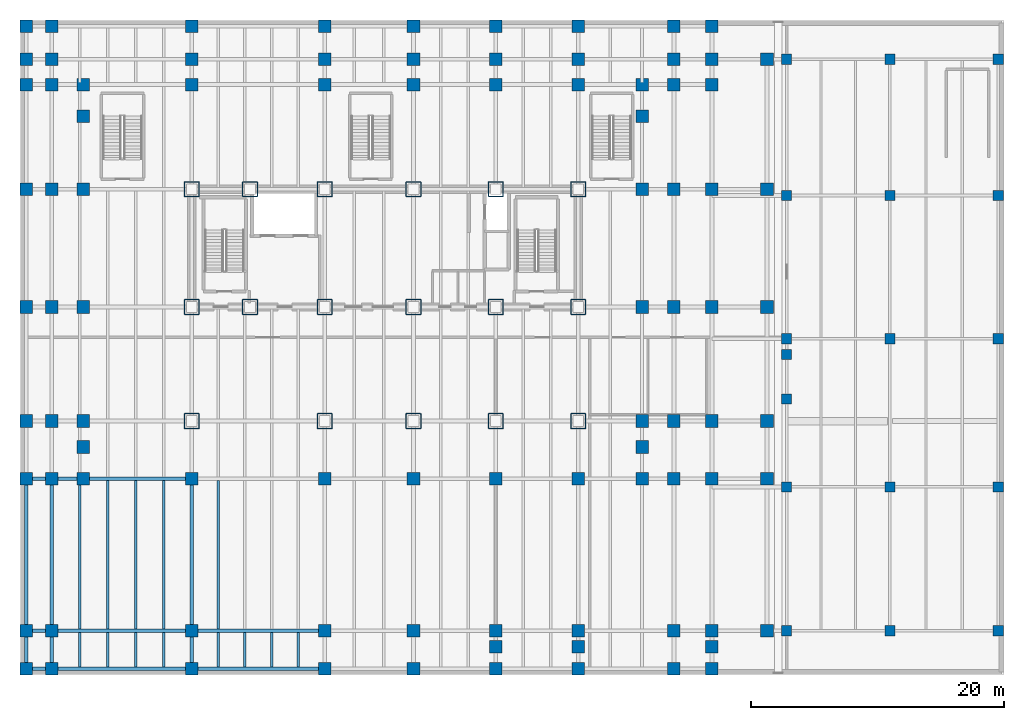
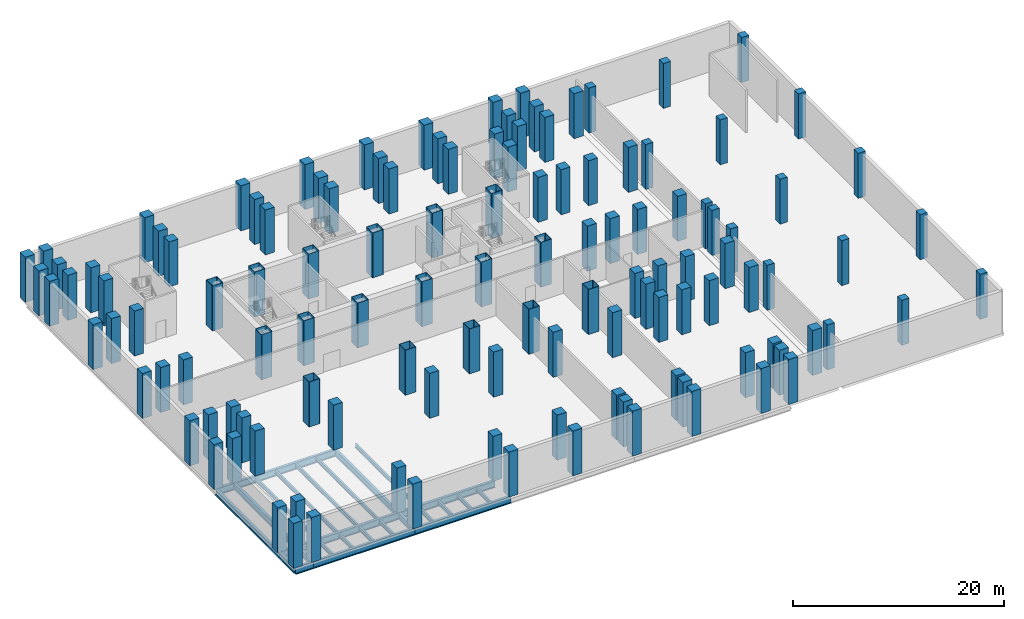
# One storey, part 1 of 15: 123 columns, 27 beams.
"""IFC4 building model written with IfcOpenShell, lengths in metres."""

from ifc_helpers import new_model, si_unit, direction, frame, origin, origin_2d, place, context, subcontext, project, spatial, rectangle, hollow_rectangle, i_section, extrude, material, material_profile, profile_set, type_object, element, save


model = new_model("IFC4")

# Units and contexts
model_context = context("Model", 3, precision=1e-05, world=origin(), true_north=direction((0.0, 1.0)))
body_context = subcontext(model_context, "Body", "Model", "MODEL_VIEW")
ifc_project = project(units=[si_unit("LENGTHUNIT", "METRE"), si_unit("AREAUNIT", "SQUARE_METRE"), si_unit("VOLUMEUNIT", "CUBIC_METRE"), si_unit("PLANEANGLEUNIT", "RADIAN"), si_unit("MASSUNIT", "GRAM", prefix="KILO")], contexts=[model_context])

# Site, building, storey
site_placement = place(None, origin())
site = spatial("IfcSite", under=ifc_project, at=site_placement, CompositionType="ELEMENT")
building_placement = place(site_placement, origin())
building = spatial("IfcBuilding", under=site, at=building_placement, Name="Noeulbin Bourse Tower", CompositionType="ELEMENT")
storey_placement = place(building_placement, frame((0.0, 0.0, -10.199951171875)))
storey = spatial("IfcBuildingStorey", under=building, at=storey_placement, Name="B02", CompositionType="ELEMENT", Elevation=-10.199951171875)

# Columns
ifc_material_1 = material(Name="Concrete C40/50", Category="concrete")
ifc_material_profile_1 = material_profile(ifc_material_1, rectangle(XDim=0.800048828125, YDim=0.800048828125, at=origin_2d()), Name="RC-COL-800x800", Category="LoadBearing")
ifc_profile_set_1 = profile_set([ifc_material_profile_1], Name="Concrete C40/50")
column_type_1 = type_object("IfcColumnType", Name="COL-MKT-RC", PredefinedType="COLUMN", material=ifc_profile_set_1)
for number, where, z_axis, x_axis, name in (
    (1, (60.449951171875, 3.449951171875, 0.0), (0.0, 0.0, 1.0), (1.0, 0.0, 0.0), "Market Hall Column COL-MKT-RC 01"),
    (2, (60.449951171875, 14.800048828125, 0.0), (0.0, 0.0, 1.0), (1.0, 0.0, 0.0), "Market Hall Column COL-MKT-RC 02"),
    (3, (60.449951171875, 21.75, 0.0), (0.0, 0.0, 1.0), (1.0, 0.0, 0.0), "Market Hall Column COL-MKT-RC 03"),
    (4, (60.449951171875, 25.25, 0.0), (0.0, 0.0, 1.0), (1.0, 0.0, 0.0), "Market Hall Column COL-MKT-RC 04"),
    (5, (60.449951171875, 26.5, 0.0), (0.0, 0.0, 1.0), (1.0, 0.0, 0.0), "Market Hall Column COL-MKT-RC 05"),
    (6, (60.449951171875, 37.800048828125, 0.0), (0.0, 0.0, 1.0), (1.0, 0.0, 0.0), "Market Hall Column COL-MKT-RC 06"),
    (7, (60.449951171875, 48.550048828125, 0.0), (0.0, 0.0, 1.0), (1.0, 0.0, 0.0), "Market Hall Column COL-MKT-RC 07"),
    (8, (68.60009765625, 3.449951171875, 0.0), (0.0, 0.0, 1.0), (1.0, 0.0, 0.0), "Market Hall Column COL-MKT-RC 08"),
    (9, (68.60009765625, 14.800048828125, 0.0), (0.0, 0.0, 1.0), (1.0, 0.0, 0.0), "Market Hall Column COL-MKT-RC 09"),
    (10, (68.60009765625, 26.5, 0.0), (0.0, 0.0, 1.0), (1.0, 0.0, 0.0), "Market Hall Column COL-MKT-RC 10"),
    (11, (68.60009765625, 37.800048828125, 0.0), (0.0, 0.0, 1.0), (1.0, 0.0, 0.0), "Market Hall Column COL-MKT-RC 11"),
    (12, (68.60009765625, 48.550048828125, 0.0), (0.0, 0.0, 1.0), (1.0, 0.0, 0.0), "Market Hall Column COL-MKT-RC 12"),
    (13, (77.14990234375, 3.449951171875, 0.0), (0.0, 0.0, 1.0), (1.0, 0.0, 0.0), "Market Hall Column COL-MKT-RC 13"),
    (14, (77.14990234375, 14.800048828125, 0.0), (0.0, 0.0, 1.0), (1.0, 0.0, 0.0), "Market Hall Column COL-MKT-RC 14"),
    (15, (77.14990234375, 26.5, 0.0), (0.0, 0.0, 1.0), (1.0, 0.0, 0.0), "Market Hall Column COL-MKT-RC 15"),
    (16, (77.14990234375, 37.800048828125, 0.0), (0.0, 0.0, 1.0), (1.0, 0.0, 0.0), "Market Hall Column COL-MKT-RC 16"),
    (17, (77.14990234375, 48.550048828125, 0.0), (0.0, 0.0, 1.0), (1.0, 0.0, 0.0), "Market Hall Column COL-MKT-RC 17"),
):
    element("IfcColumn", number, at=place(storey_placement, frame(where, z_axis=z_axis, x_axis=x_axis)), inside=storey, type_object=column_type_1, Name=name, PredefinedType="COLUMN", context=body_context, shape_type="SweptSolid", body=[
        extrude(rectangle(XDim=0.800048828125, YDim=0.800048828125, at=origin_2d()), origin(), (0.0, 0.0, 1.0), 5.199951171875),
    ])
ifc_material_2 = material(Name="Concrete C50/60", Category="concrete")
ifc_material_profile_2 = material_profile(ifc_material_2, rectangle(XDim=1.0, YDim=1.0, at=origin_2d()), Name="RC-COL-1000x1000", Category="LoadBearing")
ifc_profile_set_2 = profile_set([ifc_material_profile_2], Name="Concrete C50/60")
column_type_2 = type_object("IfcColumnType", Name="COL-STN-RC", PredefinedType="COLUMN", material=ifc_profile_set_2)
for number, where, z_axis, x_axis, name in (
    (18, (0.449951171875, 0.449951171875, 0.0), (0.0, 0.0, 1.0), (1.0, 0.0, 0.0), "Podium Column COL-STN-RC 01"),
    (19, (0.449951171875, 3.449951171875, 0.0), (0.0, 0.0, 1.0), (1.0, 0.0, 0.0), "Podium Column COL-STN-RC 02"),
    (20, (0.449951171875, 15.449951171875, 0.0), (0.0, 0.0, 1.0), (1.0, 0.0, 0.0), "Podium Column COL-STN-RC 03"),
    (21, (0.449951171875, 20.0, 0.0), (0.0, 0.0, 1.0), (1.0, 0.0, 0.0), "Podium Column COL-STN-RC 04"),
    (22, (0.449951171875, 29.0, 0.0), (0.0, 0.0, 1.0), (1.0, 0.0, 0.0), "Podium Column COL-STN-RC 05"),
    (23, (0.449951171875, 38.300048828125, 0.0), (0.0, 0.0, 1.0), (1.0, 0.0, 0.0), "Podium Column COL-STN-RC 06"),
    (24, (0.449951171875, 46.550048828125, 0.0), (0.0, 0.0, 1.0), (1.0, 0.0, 0.0), "Podium Column COL-STN-RC 07"),
    (25, (0.449951171875, 48.550048828125, 0.0), (0.0, 0.0, 1.0), (1.0, 0.0, 0.0), "Podium Column COL-STN-RC 08"),
    (26, (0.449951171875, 51.14990234375, 0.0), (0.0, 0.0, 1.0), (1.0, 0.0, 0.0), "Podium Column COL-STN-RC 09"),
    (27, (2.449951171875, 0.449951171875, 0.0), (0.0, 0.0, 1.0), (1.0, 0.0, 0.0), "Podium Column COL-STN-RC 10"),
    (28, (2.449951171875, 3.449951171875, 0.0), (0.0, 0.0, 1.0), (1.0, 0.0, 0.0), "Podium Column COL-STN-RC 11"),
    (29, (2.449951171875, 15.449951171875, 0.0), (0.0, 0.0, 1.0), (1.0, 0.0, 0.0), "Podium Column COL-STN-RC 12"),
    (30, (2.449951171875, 20.0, 0.0), (0.0, 0.0, 1.0), (1.0, 0.0, 0.0), "Podium Column COL-STN-RC 13"),
    (31, (2.449951171875, 29.0, 0.0), (0.0, 0.0, 1.0), (1.0, 0.0, 0.0), "Podium Column COL-STN-RC 14"),
    (32, (2.449951171875, 38.300048828125, 0.0), (0.0, 0.0, 1.0), (1.0, 0.0, 0.0), "Podium Column COL-STN-RC 15"),
    (33, (2.449951171875, 46.550048828125, 0.0), (0.0, 0.0, 1.0), (1.0, 0.0, 0.0), "Podium Column COL-STN-RC 16"),
    (34, (2.449951171875, 48.550048828125, 0.0), (0.0, 0.0, 1.0), (1.0, 0.0, 0.0), "Podium Column COL-STN-RC 17"),
    (35, (2.449951171875, 51.14990234375, 0.0), (0.0, 0.0, 1.0), (1.0, 0.0, 0.0), "Podium Column COL-STN-RC 18"),
    (36, (4.949951171875, 15.449951171875, 0.0), (0.0, 0.0, 1.0), (1.0, 0.0, 0.0), "Podium Column COL-STN-RC 19"),
    (37, (4.949951171875, 17.949951171875, 0.0), (0.0, 0.0, 1.0), (1.0, 0.0, 0.0), "Podium Column COL-STN-RC 20"),
    (38, (4.949951171875, 20.0, 0.0), (0.0, 0.0, 1.0), (1.0, 0.0, 0.0), "Podium Column COL-STN-RC 21"),
    (39, (4.949951171875, 29.0, 0.0), (0.0, 0.0, 1.0), (1.0, 0.0, 0.0), "Podium Column COL-STN-RC 22"),
    (40, (4.949951171875, 38.300048828125, 0.0), (0.0, 0.0, 1.0), (1.0, 0.0, 0.0), "Podium Column COL-STN-RC 23"),
    (41, (4.949951171875, 44.050048828125, 0.0), (0.0, 0.0, 1.0), (1.0, 0.0, 0.0), "Podium Column COL-STN-RC 24"),
    (42, (4.949951171875, 46.550048828125, 0.0), (0.0, 0.0, 1.0), (1.0, 0.0, 0.0), "Podium Column COL-STN-RC 25"),
    (43, (13.5, 0.449951171875, 0.0), (0.0, 0.0, 1.0), (1.0, 0.0, 0.0), "Podium Column COL-STN-RC 26"),
    (44, (13.5, 3.449951171875, 0.0), (0.0, 0.0, 1.0), (1.0, 0.0, 0.0), "Podium Column COL-STN-RC 27"),
    (45, (13.5, 15.449951171875, 0.0), (0.0, 0.0, 1.0), (1.0, 0.0, 0.0), "Podium Column COL-STN-RC 28"),
    (46, (13.5, 46.550048828125, 0.0), (0.0, 0.0, 1.0), (1.0, 0.0, 0.0), "Podium Column COL-STN-RC 29"),
    (47, (13.5, 48.550048828125, 0.0), (0.0, 0.0, 1.0), (1.0, 0.0, 0.0), "Podium Column COL-STN-RC 30"),
    (48, (13.5, 51.14990234375, 0.0), (0.0, 0.0, 1.0), (1.0, 0.0, 0.0), "Podium Column COL-STN-RC 31"),
    (49, (24.0, 0.449951171875, 0.0), (0.0, 0.0, 1.0), (1.0, 0.0, 0.0), "Podium Column COL-STN-RC 32"),
    (50, (24.0, 3.449951171875, 0.0), (0.0, 0.0, 1.0), (1.0, 0.0, 0.0), "Podium Column COL-STN-RC 33"),
    (51, (24.0, 15.449951171875, 0.0), (0.0, 0.0, 1.0), (1.0, 0.0, 0.0), "Podium Column COL-STN-RC 34"),
    (52, (24.0, 46.550048828125, 0.0), (0.0, 0.0, 1.0), (1.0, 0.0, 0.0), "Podium Column COL-STN-RC 35"),
    (53, (24.0, 48.550048828125, 0.0), (0.0, 0.0, 1.0), (1.0, 0.0, 0.0), "Podium Column COL-STN-RC 36"),
    (54, (24.0, 51.14990234375, 0.0), (0.0, 0.0, 1.0), (1.0, 0.0, 0.0), "Podium Column COL-STN-RC 37"),
    (55, (31.0, 0.449951171875, 0.0), (0.0, 0.0, 1.0), (1.0, 0.0, 0.0), "Podium Column COL-STN-RC 38"),
    (56, (31.0, 3.449951171875, 0.0), (0.0, 0.0, 1.0), (1.0, 0.0, 0.0), "Podium Column COL-STN-RC 39"),
    (57, (31.0, 15.449951171875, 0.0), (0.0, 0.0, 1.0), (1.0, 0.0, 0.0), "Podium Column COL-STN-RC 40"),
    (58, (31.0, 46.550048828125, 0.0), (0.0, 0.0, 1.0), (1.0, 0.0, 0.0), "Podium Column COL-STN-RC 41"),
    (59, (31.0, 48.550048828125, 0.0), (0.0, 0.0, 1.0), (1.0, 0.0, 0.0), "Podium Column COL-STN-RC 42"),
    (60, (31.0, 51.14990234375, 0.0), (0.0, 0.0, 1.0), (1.0, 0.0, 0.0), "Podium Column COL-STN-RC 43"),
    (61, (37.5, 0.449951171875, 0.0), (0.0, 0.0, 1.0), (1.0, 0.0, 0.0), "Podium Column COL-STN-RC 44"),
    (62, (37.5, 2.199951171875, 0.0), (0.0, 0.0, 1.0), (1.0, 0.0, 0.0), "Podium Column COL-STN-RC 45"),
    (63, (37.5, 3.449951171875, 0.0), (0.0, 0.0, 1.0), (1.0, 0.0, 0.0), "Podium Column COL-STN-RC 46"),
    (64, (37.5, 15.449951171875, 0.0), (0.0, 0.0, 1.0), (1.0, 0.0, 0.0), "Podium Column COL-STN-RC 47"),
    (65, (37.5, 46.550048828125, 0.0), (0.0, 0.0, 1.0), (1.0, 0.0, 0.0), "Podium Column COL-STN-RC 48"),
    (66, (37.5, 48.550048828125, 0.0), (0.0, 0.0, 1.0), (1.0, 0.0, 0.0), "Podium Column COL-STN-RC 49"),
    (67, (37.5, 51.14990234375, 0.0), (0.0, 0.0, 1.0), (1.0, 0.0, 0.0), "Podium Column COL-STN-RC 50"),
    (68, (44.0, 0.449951171875, 0.0), (0.0, 0.0, 1.0), (1.0, 0.0, 0.0), "Podium Column COL-STN-RC 51"),
    (69, (44.0, 2.199951171875, 0.0), (0.0, 0.0, 1.0), (1.0, 0.0, 0.0), "Podium Column COL-STN-RC 52"),
    (70, (44.0, 3.449951171875, 0.0), (0.0, 0.0, 1.0), (1.0, 0.0, 0.0), "Podium Column COL-STN-RC 53"),
    (71, (44.0, 15.449951171875, 0.0), (0.0, 0.0, 1.0), (1.0, 0.0, 0.0), "Podium Column COL-STN-RC 54"),
    (72, (44.0, 46.550048828125, 0.0), (0.0, 0.0, 1.0), (1.0, 0.0, 0.0), "Podium Column COL-STN-RC 55"),
    (73, (44.0, 48.550048828125, 0.0), (0.0, 0.0, 1.0), (1.0, 0.0, 0.0), "Podium Column COL-STN-RC 56"),
    (74, (44.0, 51.14990234375, 0.0), (0.0, 0.0, 1.0), (1.0, 0.0, 0.0), "Podium Column COL-STN-RC 57"),
    (75, (49.050048828125, 15.449951171875, 0.0), (0.0, 0.0, 1.0), (1.0, 0.0, 0.0), "Podium Column COL-STN-RC 58"),
    (76, (49.050048828125, 17.949951171875, 0.0), (0.0, 0.0, 1.0), (1.0, 0.0, 0.0), "Podium Column COL-STN-RC 59"),
    (77, (49.050048828125, 20.0, 0.0), (0.0, 0.0, 1.0), (1.0, 0.0, 0.0), "Podium Column COL-STN-RC 60"),
    (78, (49.050048828125, 29.0, 0.0), (0.0, 0.0, 1.0), (1.0, 0.0, 0.0), "Podium Column COL-STN-RC 61"),
    (79, (49.050048828125, 38.300048828125, 0.0), (0.0, 0.0, 1.0), (1.0, 0.0, 0.0), "Podium Column COL-STN-RC 62"),
    (80, (49.050048828125, 44.050048828125, 0.0), (0.0, 0.0, 1.0), (1.0, 0.0, 0.0), "Podium Column COL-STN-RC 63"),
    (81, (49.050048828125, 46.550048828125, 0.0), (0.0, 0.0, 1.0), (1.0, 0.0, 0.0), "Podium Column COL-STN-RC 64"),
    (82, (51.550048828125, 0.449951171875, 0.0), (0.0, 0.0, 1.0), (1.0, 0.0, 0.0), "Podium Column COL-STN-RC 65"),
    (83, (51.550048828125, 3.449951171875, 0.0), (0.0, 0.0, 1.0), (1.0, 0.0, 0.0), "Podium Column COL-STN-RC 66"),
    (84, (51.550048828125, 15.449951171875, 0.0), (0.0, 0.0, 1.0), (1.0, 0.0, 0.0), "Podium Column COL-STN-RC 67"),
    (85, (51.550048828125, 20.0, 0.0), (0.0, 0.0, 1.0), (1.0, 0.0, 0.0), "Podium Column COL-STN-RC 68"),
    (86, (51.550048828125, 29.0, 0.0), (0.0, 0.0, 1.0), (1.0, 0.0, 0.0), "Podium Column COL-STN-RC 69"),
    (87, (51.550048828125, 38.300048828125, 0.0), (0.0, 0.0, 1.0), (1.0, 0.0, 0.0), "Podium Column COL-STN-RC 70"),
    (88, (51.550048828125, 46.550048828125, 0.0), (0.0, 0.0, 1.0), (1.0, 0.0, 0.0), "Podium Column COL-STN-RC 71"),
    (89, (51.550048828125, 48.550048828125, 0.0), (0.0, 0.0, 1.0), (1.0, 0.0, 0.0), "Podium Column COL-STN-RC 72"),
    (90, (51.550048828125, 51.14990234375, 0.0), (0.0, 0.0, 1.0), (1.0, 0.0, 0.0), "Podium Column COL-STN-RC 73"),
    (91, (54.550048828125, 0.449951171875, 0.0), (0.0, 0.0, 1.0), (1.0, 0.0, 0.0), "Podium Column COL-STN-RC 74"),
    (92, (54.550048828125, 2.199951171875, 0.0), (0.0, 0.0, 1.0), (1.0, 0.0, 0.0), "Podium Column COL-STN-RC 75"),
    (93, (54.550048828125, 3.449951171875, 0.0), (0.0, 0.0, 1.0), (1.0, 0.0, 0.0), "Podium Column COL-STN-RC 76"),
    (94, (54.550048828125, 15.449951171875, 0.0), (0.0, 0.0, 1.0), (1.0, 0.0, 0.0), "Podium Column COL-STN-RC 77"),
    (95, (54.550048828125, 20.0, 0.0), (0.0, 0.0, 1.0), (1.0, 0.0, 0.0), "Podium Column COL-STN-RC 78"),
    (96, (54.550048828125, 29.0, 0.0), (0.0, 0.0, 1.0), (1.0, 0.0, 0.0), "Podium Column COL-STN-RC 79"),
    (97, (54.550048828125, 38.300048828125, 0.0), (0.0, 0.0, 1.0), (1.0, 0.0, 0.0), "Podium Column COL-STN-RC 80"),
    (98, (54.550048828125, 46.550048828125, 0.0), (0.0, 0.0, 1.0), (1.0, 0.0, 0.0), "Podium Column COL-STN-RC 81"),
    (99, (54.550048828125, 48.550048828125, 0.0), (0.0, 0.0, 1.0), (1.0, 0.0, 0.0), "Podium Column COL-STN-RC 82"),
    (100, (54.550048828125, 51.14990234375, 0.0), (0.0, 0.0, 1.0), (1.0, 0.0, 0.0), "Podium Column COL-STN-RC 83"),
    (101, (58.89990234375, 3.449951171875, 0.0), (0.0, 0.0, 1.0), (1.0, 0.0, 0.0), "Podium Column COL-STN-RC 84"),
    (102, (58.89990234375, 15.449951171875, 0.0), (0.0, 0.0, 1.0), (1.0, 0.0, 0.0), "Podium Column COL-STN-RC 85"),
    (103, (58.89990234375, 20.0, 0.0), (0.0, 0.0, 1.0), (1.0, 0.0, 0.0), "Podium Column COL-STN-RC 86"),
    (104, (58.89990234375, 29.0, 0.0), (0.0, 0.0, 1.0), (1.0, 0.0, 0.0), "Podium Column COL-STN-RC 87"),
    (105, (58.89990234375, 38.300048828125, 0.0), (0.0, 0.0, 1.0), (1.0, 0.0, 0.0), "Podium Column COL-STN-RC 88"),
    (106, (58.89990234375, 48.550048828125, 0.0), (0.0, 0.0, 1.0), (1.0, 0.0, 0.0), "Podium Column COL-STN-RC 89"),
):
    element("IfcColumn", number, at=place(storey_placement, frame(where, z_axis=z_axis, x_axis=x_axis)), inside=storey, type_object=column_type_2, Name=name, PredefinedType="COLUMN", context=body_context, shape_type="SweptSolid", body=[
        extrude(rectangle(XDim=1.0, YDim=1.0, at=origin_2d()), origin(), (0.0, 0.0, 1.0), 5.199951171875),
    ])
ifc_material_3 = material(Name="Steel S460", Category="steel")
ifc_material_profile_3 = material_profile(ifc_material_3, hollow_rectangle(XDim=1.199951171875, YDim=1.199951171875, WallThickness=0.0400390625, InnerFilletRadius=0.02001953125, OuterFilletRadius=0.06005859375, at=origin_2d()), Name="BOX-1200x1200x40", Category="LoadBearing")
ifc_profile_set_3 = profile_set([ifc_material_profile_3], Name="Steel S460")
column_type_3 = type_object("IfcColumnType", Name="COL-TRK-Z0", PredefinedType="COLUMN", material=ifc_profile_set_3)
for number, where, z_axis, x_axis, name in (
    (107, (13.5, 29.0, 0.0), (0.0, 0.0, 1.0), (1.0, 0.0, 0.0), "Tower Trunk Mega-Column COL-TRK-Z0 01"),
    (108, (13.5, 38.300048828125, 0.0), (0.0, 0.0, 1.0), (1.0, 0.0, 0.0), "Tower Trunk Mega-Column COL-TRK-Z0 02"),
    (109, (18.10009765625, 29.0, 0.0), (0.0, 0.0, 1.0), (1.0, 0.0, 0.0), "Tower Trunk Mega-Column COL-TRK-Z0 03"),
    (110, (18.10009765625, 38.300048828125, 0.0), (0.0, 0.0, 1.0), (1.0, 0.0, 0.0), "Tower Trunk Mega-Column COL-TRK-Z0 04"),
    (111, (24.0, 29.0, 0.0), (0.0, 0.0, 1.0), (1.0, 0.0, 0.0), "Tower Trunk Mega-Column COL-TRK-Z0 05"),
    (112, (24.0, 38.300048828125, 0.0), (0.0, 0.0, 1.0), (1.0, 0.0, 0.0), "Tower Trunk Mega-Column COL-TRK-Z0 06"),
    (113, (31.0, 29.0, 0.0), (0.0, 0.0, 1.0), (1.0, 0.0, 0.0), "Tower Trunk Mega-Column COL-TRK-Z0 07"),
    (114, (31.0, 38.300048828125, 0.0), (0.0, 0.0, 1.0), (1.0, 0.0, 0.0), "Tower Trunk Mega-Column COL-TRK-Z0 08"),
    (115, (37.5, 29.0, 0.0), (0.0, 0.0, 1.0), (1.0, 0.0, 0.0), "Tower Trunk Mega-Column COL-TRK-Z0 09"),
    (116, (37.5, 38.300048828125, 0.0), (0.0, 0.0, 1.0), (1.0, 0.0, 0.0), "Tower Trunk Mega-Column COL-TRK-Z0 10"),
    (117, (44.0, 29.0, 0.0), (0.0, 0.0, 1.0), (1.0, 0.0, 0.0), "Tower Trunk Mega-Column COL-TRK-Z0 11"),
    (118, (44.0, 38.300048828125, 0.0), (0.0, 0.0, 1.0), (1.0, 0.0, 0.0), "Tower Trunk Mega-Column COL-TRK-Z0 12"),
    (119, (13.5, 20.0, 0.0), (0.0, 0.0, 1.0), (1.0, 0.0, 0.0), "Tower Trunk Mega-Column COL-TRK-Z0 13"),
    (120, (24.0, 20.0, 0.0), (0.0, 0.0, 1.0), (1.0, 0.0, 0.0), "Tower Trunk Mega-Column COL-TRK-Z0 14"),
    (121, (31.0, 20.0, 0.0), (0.0, 0.0, 1.0), (1.0, 0.0, 0.0), "Tower Trunk Mega-Column COL-TRK-Z0 15"),
    (122, (37.5, 20.0, 0.0), (0.0, 0.0, 1.0), (1.0, 0.0, 0.0), "Tower Trunk Mega-Column COL-TRK-Z0 16"),
    (123, (44.0, 20.0, 0.0), (0.0, 0.0, 1.0), (1.0, 0.0, 0.0), "Tower Trunk Mega-Column COL-TRK-Z0 17"),
):
    element("IfcColumn", number, at=place(storey_placement, frame(where, z_axis=z_axis, x_axis=x_axis)), inside=storey, type_object=column_type_3, Name=name, PredefinedType="COLUMN", context=body_context, shape_type="SweptSolid", body=[
        extrude(hollow_rectangle(XDim=1.199951171875, YDim=1.199951171875, WallThickness=0.0400390625, InnerFilletRadius=0.02001953125, OuterFilletRadius=0.06005859375, at=origin_2d()), origin(), (0.0, 0.0, 1.0), 5.199951171875),
    ])

# Beams
ifc_material_4 = material(Name="Steel S355", Category="steel")
ifc_material_profile_4 = material_profile(ifc_material_4, i_section(OverallWidth=0.300048828125, OverallDepth=0.699951171875, WebThickness=0.012939453125, FlangeThickness=0.02392578125, FilletRadius=0.02392578125, at=origin_2d()), Name="H-700x300x13x24", Category="LoadBearing")
ifc_profile_set_4 = profile_set([ifc_material_profile_4], Name="Steel S355")
beam_type_1 = type_object("IfcBeamType", Name="BM-GRD-700", PredefinedType="USERDEFINED", material=ifc_profile_set_4)
beam_1_placement = place(storey_placement, frame((0.449951171875, 0.449951171875, -0.630126953125), z_axis=(0.0, 1.0, 0.0), x_axis=(-1.0, 0.0, 0.0)))
element("IfcBeam", 124, at=beam_1_placement, inside=storey, type_object=beam_type_1, Name="Podium Primary Girder NS B02-073", ObjectType="GIRDER", PredefinedType="USERDEFINED", context=body_context, shape_type="SweptSolid", body=[
    extrude(i_section(OverallWidth=0.300048828125, OverallDepth=0.699951171875, WebThickness=0.012939453125, FlangeThickness=0.02392578125, FilletRadius=0.02392578125, at=origin_2d()), origin(), (0.0, 0.0, 1.0), 3.0),
])
beam_2_placement = place(storey_placement, frame((0.449951171875, 3.449951171875, -0.630126953125), z_axis=(0.0, 1.0, 0.0), x_axis=(-1.0, 0.0, 0.0)))
element("IfcBeam", 125, at=beam_2_placement, inside=storey, type_object=beam_type_1, Name="Podium Primary Girder NS B02-074", ObjectType="GIRDER", PredefinedType="USERDEFINED", context=body_context, shape_type="SweptSolid", body=[
    extrude(i_section(OverallWidth=0.300048828125, OverallDepth=0.699951171875, WebThickness=0.012939453125, FlangeThickness=0.02392578125, FilletRadius=0.02392578125, at=origin_2d()), origin(), (0.0, 0.0, 1.0), 12.0),
])
beam_3_placement = place(storey_placement, frame((2.449951171875, 0.449951171875, -0.630126953125), z_axis=(0.0, 1.0, 0.0), x_axis=(-1.0, 0.0, 0.0)))
element("IfcBeam", 126, at=beam_3_placement, inside=storey, type_object=beam_type_1, Name="Podium Primary Girder NS B02-081", ObjectType="GIRDER", PredefinedType="USERDEFINED", context=body_context, shape_type="SweptSolid", body=[
    extrude(i_section(OverallWidth=0.300048828125, OverallDepth=0.699951171875, WebThickness=0.012939453125, FlangeThickness=0.02392578125, FilletRadius=0.02392578125, at=origin_2d()), origin(), (0.0, 0.0, 1.0), 3.0),
])
beam_4_placement = place(storey_placement, frame((2.449951171875, 3.449951171875, -0.630126953125), z_axis=(0.0, 1.0, 0.0), x_axis=(-1.0, 0.0, 0.0)))
element("IfcBeam", 127, at=beam_4_placement, inside=storey, type_object=beam_type_1, Name="Podium Primary Girder NS B02-082", ObjectType="GIRDER", PredefinedType="USERDEFINED", context=body_context, shape_type="SweptSolid", body=[
    extrude(i_section(OverallWidth=0.300048828125, OverallDepth=0.699951171875, WebThickness=0.012939453125, FlangeThickness=0.02392578125, FilletRadius=0.02392578125, at=origin_2d()), origin(), (0.0, 0.0, 1.0), 12.0),
])
beam_5_placement = place(storey_placement, frame((13.5, 0.449951171875, -0.630126953125), z_axis=(0.0, 1.0, 0.0), x_axis=(-1.0, 0.0, 0.0)))
element("IfcBeam", 128, at=beam_5_placement, inside=storey, type_object=beam_type_1, Name="Podium Primary Girder NS B02-089", ObjectType="GIRDER", PredefinedType="USERDEFINED", context=body_context, shape_type="SweptSolid", body=[
    extrude(i_section(OverallWidth=0.300048828125, OverallDepth=0.699951171875, WebThickness=0.012939453125, FlangeThickness=0.02392578125, FilletRadius=0.02392578125, at=origin_2d()), origin(), (0.0, 0.0, 1.0), 3.0),
])
beam_6_placement = place(storey_placement, frame((13.5, 3.449951171875, -0.630126953125), z_axis=(0.0, 1.0, 0.0), x_axis=(-1.0, 0.0, 0.0)))
element("IfcBeam", 129, at=beam_6_placement, inside=storey, type_object=beam_type_1, Name="Podium Primary Girder NS B02-090", ObjectType="GIRDER", PredefinedType="USERDEFINED", context=body_context, shape_type="SweptSolid", body=[
    extrude(i_section(OverallWidth=0.300048828125, OverallDepth=0.699951171875, WebThickness=0.012939453125, FlangeThickness=0.02392578125, FilletRadius=0.02392578125, at=origin_2d()), origin(), (0.0, 0.0, 1.0), 12.0),
])
ifc_material_profile_5 = material_profile(ifc_material_4, i_section(OverallWidth=0.300048828125, OverallDepth=0.800048828125, WebThickness=0.013916015625, FlangeThickness=0.02587890625, FilletRadius=0.02587890625, at=origin_2d()), Name="H-800x300x14x26", Category="LoadBearing")
ifc_profile_set_5 = profile_set([ifc_material_profile_5], Name="Steel S355")
beam_type_2 = type_object("IfcBeamType", Name="BM-GRD-800", PredefinedType="USERDEFINED", material=ifc_profile_set_5)
beam_7_placement = place(storey_placement, frame((0.449951171875, 0.449951171875, -0.679931640625), z_axis=(1.0, 0.0, 0.0), x_axis=(0.0, 1.0, 0.0)))
element("IfcBeam", 130, at=beam_7_placement, inside=storey, type_object=beam_type_2, Name="Podium Primary Girder EW B02-001", ObjectType="GIRDER", PredefinedType="USERDEFINED", context=body_context, shape_type="SweptSolid", body=[
    extrude(i_section(OverallWidth=0.300048828125, OverallDepth=0.800048828125, WebThickness=0.013916015625, FlangeThickness=0.02587890625, FilletRadius=0.02587890625, at=origin_2d()), origin(), (0.0, 0.0, 1.0), 2.0),
])
beam_8_placement = place(storey_placement, frame((2.449951171875, 0.449951171875, -0.679931640625), z_axis=(1.0, 0.0, 0.0), x_axis=(0.0, 1.0, 0.0)))
element("IfcBeam", 131, at=beam_8_placement, inside=storey, type_object=beam_type_2, Name="Podium Primary Girder EW B02-002", ObjectType="GIRDER", PredefinedType="USERDEFINED", context=body_context, shape_type="SweptSolid", body=[
    extrude(i_section(OverallWidth=0.300048828125, OverallDepth=0.800048828125, WebThickness=0.013916015625, FlangeThickness=0.02587890625, FilletRadius=0.02587890625, at=origin_2d()), origin(), (0.0, 0.0, 1.0), 11.050048828125),
])
beam_9_placement = place(storey_placement, frame((13.5, 0.449951171875, -0.679931640625), z_axis=(1.0, 0.0, 0.0), x_axis=(0.0, 1.0, 0.0)))
element("IfcBeam", 132, at=beam_9_placement, inside=storey, type_object=beam_type_2, Name="Podium Primary Girder EW B02-003", ObjectType="GIRDER", PredefinedType="USERDEFINED", context=body_context, shape_type="SweptSolid", body=[
    extrude(i_section(OverallWidth=0.300048828125, OverallDepth=0.800048828125, WebThickness=0.013916015625, FlangeThickness=0.02587890625, FilletRadius=0.02587890625, at=origin_2d()), origin(), (0.0, 0.0, 1.0), 10.5),
])
beam_10_placement = place(storey_placement, frame((0.449951171875, 3.449951171875, -0.679931640625), z_axis=(1.0, 0.0, 0.0), x_axis=(0.0, 1.0, 0.0)))
element("IfcBeam", 133, at=beam_10_placement, inside=storey, type_object=beam_type_2, Name="Podium Primary Girder EW B02-009", ObjectType="GIRDER", PredefinedType="USERDEFINED", context=body_context, shape_type="SweptSolid", body=[
    extrude(i_section(OverallWidth=0.300048828125, OverallDepth=0.800048828125, WebThickness=0.013916015625, FlangeThickness=0.02587890625, FilletRadius=0.02587890625, at=origin_2d()), origin(), (0.0, 0.0, 1.0), 2.0),
])
beam_11_placement = place(storey_placement, frame((2.449951171875, 3.449951171875, -0.679931640625), z_axis=(1.0, 0.0, 0.0), x_axis=(0.0, 1.0, 0.0)))
element("IfcBeam", 134, at=beam_11_placement, inside=storey, type_object=beam_type_2, Name="Podium Primary Girder EW B02-010", ObjectType="GIRDER", PredefinedType="USERDEFINED", context=body_context, shape_type="SweptSolid", body=[
    extrude(i_section(OverallWidth=0.300048828125, OverallDepth=0.800048828125, WebThickness=0.013916015625, FlangeThickness=0.02587890625, FilletRadius=0.02587890625, at=origin_2d()), origin(), (0.0, 0.0, 1.0), 11.050048828125),
])
beam_12_placement = place(storey_placement, frame((13.5, 3.449951171875, -0.679931640625), z_axis=(1.0, 0.0, 0.0), x_axis=(0.0, 1.0, 0.0)))
element("IfcBeam", 135, at=beam_12_placement, inside=storey, type_object=beam_type_2, Name="Podium Primary Girder EW B02-011", ObjectType="GIRDER", PredefinedType="USERDEFINED", context=body_context, shape_type="SweptSolid", body=[
    extrude(i_section(OverallWidth=0.300048828125, OverallDepth=0.800048828125, WebThickness=0.013916015625, FlangeThickness=0.02587890625, FilletRadius=0.02587890625, at=origin_2d()), origin(), (0.0, 0.0, 1.0), 10.5),
])
beam_13_placement = place(storey_placement, frame((0.449951171875, 15.449951171875, -0.679931640625), z_axis=(1.0, 0.0, 0.0), x_axis=(0.0, 1.0, 0.0)))
element("IfcBeam", 136, at=beam_13_placement, inside=storey, type_object=beam_type_2, Name="Podium Primary Girder EW B02-017", ObjectType="GIRDER", PredefinedType="USERDEFINED", context=body_context, shape_type="SweptSolid", body=[
    extrude(i_section(OverallWidth=0.300048828125, OverallDepth=0.800048828125, WebThickness=0.013916015625, FlangeThickness=0.02587890625, FilletRadius=0.02587890625, at=origin_2d()), origin(), (0.0, 0.0, 1.0), 2.0),
])
beam_14_placement = place(storey_placement, frame((2.449951171875, 15.449951171875, -0.679931640625), z_axis=(1.0, 0.0, 0.0), x_axis=(0.0, 1.0, 0.0)))
element("IfcBeam", 137, at=beam_14_placement, inside=storey, type_object=beam_type_2, Name="Podium Primary Girder EW B02-018", ObjectType="GIRDER", PredefinedType="USERDEFINED", context=body_context, shape_type="SweptSolid", body=[
    extrude(i_section(OverallWidth=0.300048828125, OverallDepth=0.800048828125, WebThickness=0.013916015625, FlangeThickness=0.02587890625, FilletRadius=0.02587890625, at=origin_2d()), origin(), (0.0, 0.0, 1.0), 11.050048828125),
])
ifc_material_profile_6 = material_profile(ifc_material_4, i_section(OverallWidth=0.199951171875, OverallDepth=0.449951171875, WebThickness=0.009033203125, FlangeThickness=0.013916015625, FilletRadius=0.01806640625, at=origin_2d()), Name="H-450x200x9x14", Category="LoadBearing")
ifc_profile_set_6 = profile_set([ifc_material_profile_6], Name="Steel S355")
beam_type_3 = type_object("IfcBeamType", Name="BM-SEC-450", PredefinedType="BEAM", material=ifc_profile_set_6)
beam_15_placement = place(storey_placement, frame((4.659912109375, 0.60009765625, -0.505126953125), z_axis=(0.0, 1.0, 0.0), x_axis=(-1.0, 0.0, 0.0)))
element("IfcBeam", 138, at=beam_15_placement, inside=storey, type_object=beam_type_3, Name="Podium Secondary Beam B02-001", PredefinedType="BEAM", context=body_context, shape_type="SweptSolid", body=[
    extrude(i_section(OverallWidth=0.199951171875, OverallDepth=0.449951171875, WebThickness=0.009033203125, FlangeThickness=0.013916015625, FilletRadius=0.01806640625, at=origin_2d()), origin(), (0.0, 0.0, 1.0), 2.699951171875),
])
beam_16_placement = place(storey_placement, frame((4.659912109375, 3.60009765625, -0.505126953125), z_axis=(0.0, 1.0, 0.0), x_axis=(-1.0, 0.0, 0.0)))
element("IfcBeam", 139, at=beam_16_placement, inside=storey, type_object=beam_type_3, Name="Podium Secondary Beam B02-002", PredefinedType="BEAM", context=body_context, shape_type="SweptSolid", body=[
    extrude(i_section(OverallWidth=0.199951171875, OverallDepth=0.449951171875, WebThickness=0.009033203125, FlangeThickness=0.013916015625, FilletRadius=0.01806640625, at=origin_2d()), origin(), (0.0, 0.0, 1.0), 11.699951171875),
])
beam_17_placement = place(storey_placement, frame((6.8701171875, 0.60009765625, -0.505126953125), z_axis=(0.0, 1.0, 0.0), x_axis=(-1.0, 0.0, 0.0)))
element("IfcBeam", 140, at=beam_17_placement, inside=storey, type_object=beam_type_3, Name="Podium Secondary Beam B02-009", PredefinedType="BEAM", context=body_context, shape_type="SweptSolid", body=[
    extrude(i_section(OverallWidth=0.199951171875, OverallDepth=0.449951171875, WebThickness=0.009033203125, FlangeThickness=0.013916015625, FilletRadius=0.01806640625, at=origin_2d()), origin(), (0.0, 0.0, 1.0), 2.699951171875),
])
beam_18_placement = place(storey_placement, frame((6.8701171875, 3.60009765625, -0.505126953125), z_axis=(0.0, 1.0, 0.0), x_axis=(-1.0, 0.0, 0.0)))
element("IfcBeam", 141, at=beam_18_placement, inside=storey, type_object=beam_type_3, Name="Podium Secondary Beam B02-010", PredefinedType="BEAM", context=body_context, shape_type="SweptSolid", body=[
    extrude(i_section(OverallWidth=0.199951171875, OverallDepth=0.449951171875, WebThickness=0.009033203125, FlangeThickness=0.013916015625, FilletRadius=0.01806640625, at=origin_2d()), origin(), (0.0, 0.0, 1.0), 11.699951171875),
])
beam_19_placement = place(storey_placement, frame((9.080078125, 0.60009765625, -0.505126953125), z_axis=(0.0, 1.0, 0.0), x_axis=(-1.0, 0.0, 0.0)))
element("IfcBeam", 142, at=beam_19_placement, inside=storey, type_object=beam_type_3, Name="Podium Secondary Beam B02-016", PredefinedType="BEAM", context=body_context, shape_type="SweptSolid", body=[
    extrude(i_section(OverallWidth=0.199951171875, OverallDepth=0.449951171875, WebThickness=0.009033203125, FlangeThickness=0.013916015625, FilletRadius=0.01806640625, at=origin_2d()), origin(), (0.0, 0.0, 1.0), 2.699951171875),
])
beam_20_placement = place(storey_placement, frame((9.080078125, 3.60009765625, -0.505126953125), z_axis=(0.0, 1.0, 0.0), x_axis=(-1.0, 0.0, 0.0)))
element("IfcBeam", 143, at=beam_20_placement, inside=storey, type_object=beam_type_3, Name="Podium Secondary Beam B02-017", PredefinedType="BEAM", context=body_context, shape_type="SweptSolid", body=[
    extrude(i_section(OverallWidth=0.199951171875, OverallDepth=0.449951171875, WebThickness=0.009033203125, FlangeThickness=0.013916015625, FilletRadius=0.01806640625, at=origin_2d()), origin(), (0.0, 0.0, 1.0), 11.699951171875),
])
beam_21_placement = place(storey_placement, frame((11.2900390625, 0.60009765625, -0.505126953125), z_axis=(0.0, 1.0, 0.0), x_axis=(-1.0, 0.0, 0.0)))
element("IfcBeam", 144, at=beam_21_placement, inside=storey, type_object=beam_type_3, Name="Podium Secondary Beam B02-023", PredefinedType="BEAM", context=body_context, shape_type="SweptSolid", body=[
    extrude(i_section(OverallWidth=0.199951171875, OverallDepth=0.449951171875, WebThickness=0.009033203125, FlangeThickness=0.013916015625, FilletRadius=0.01806640625, at=origin_2d()), origin(), (0.0, 0.0, 1.0), 2.699951171875),
])
beam_22_placement = place(storey_placement, frame((11.2900390625, 3.60009765625, -0.505126953125), z_axis=(0.0, 1.0, 0.0), x_axis=(-1.0, 0.0, 0.0)))
element("IfcBeam", 145, at=beam_22_placement, inside=storey, type_object=beam_type_3, Name="Podium Secondary Beam B02-024", PredefinedType="BEAM", context=body_context, shape_type="SweptSolid", body=[
    extrude(i_section(OverallWidth=0.199951171875, OverallDepth=0.449951171875, WebThickness=0.009033203125, FlangeThickness=0.013916015625, FilletRadius=0.01806640625, at=origin_2d()), origin(), (0.0, 0.0, 1.0), 11.699951171875),
])
beam_23_placement = place(storey_placement, frame((15.60009765625, 0.60009765625, -0.505126953125), z_axis=(0.0, 1.0, 0.0), x_axis=(-1.0, 0.0, 0.0)))
element("IfcBeam", 146, at=beam_23_placement, inside=storey, type_object=beam_type_3, Name="Podium Secondary Beam B02-031", PredefinedType="BEAM", context=body_context, shape_type="SweptSolid", body=[
    extrude(i_section(OverallWidth=0.199951171875, OverallDepth=0.449951171875, WebThickness=0.009033203125, FlangeThickness=0.013916015625, FilletRadius=0.01806640625, at=origin_2d()), origin(), (0.0, 0.0, 1.0), 2.699951171875),
])
beam_24_placement = place(storey_placement, frame((15.60009765625, 3.60009765625, -0.505126953125), z_axis=(0.0, 1.0, 0.0), x_axis=(-1.0, 0.0, 0.0)))
element("IfcBeam", 147, at=beam_24_placement, inside=storey, type_object=beam_type_3, Name="Podium Secondary Beam B02-032", PredefinedType="BEAM", context=body_context, shape_type="SweptSolid", body=[
    extrude(i_section(OverallWidth=0.199951171875, OverallDepth=0.449951171875, WebThickness=0.009033203125, FlangeThickness=0.013916015625, FilletRadius=0.01806640625, at=origin_2d()), origin(), (0.0, 0.0, 1.0), 11.699951171875),
])
for number, where, z_axis, x_axis, name in (
    (148, (17.699951171875, 0.60009765625, -0.505126953125), (0.0, 1.0, 0.0), (-1.0, 0.0, 0.0), "Podium Secondary Beam B02-038"),
    (149, (19.800048828125, 0.60009765625, -0.505126953125), (0.0, 1.0, 0.0), (-1.0, 0.0, 0.0), "Podium Secondary Beam B02-045"),
    (150, (21.89990234375, 0.60009765625, -0.505126953125), (0.0, 1.0, 0.0), (-1.0, 0.0, 0.0), "Podium Secondary Beam B02-052"),
):
    element("IfcBeam", number, at=place(storey_placement, frame(where, z_axis=z_axis, x_axis=x_axis)), inside=storey, type_object=beam_type_3, Name=name, PredefinedType="BEAM", context=body_context, shape_type="SweptSolid", body=[
        extrude(i_section(OverallWidth=0.199951171875, OverallDepth=0.449951171875, WebThickness=0.009033203125, FlangeThickness=0.013916015625, FilletRadius=0.01806640625, at=origin_2d()), origin(), (0.0, 0.0, 1.0), 2.699951171875),
    ])

save(model, "model.ifc")
